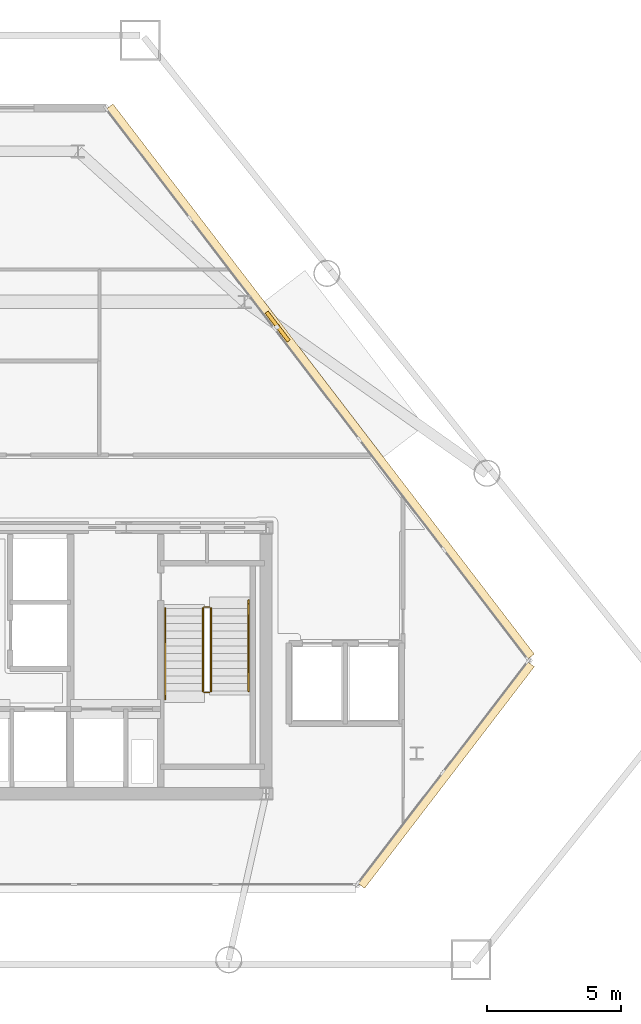
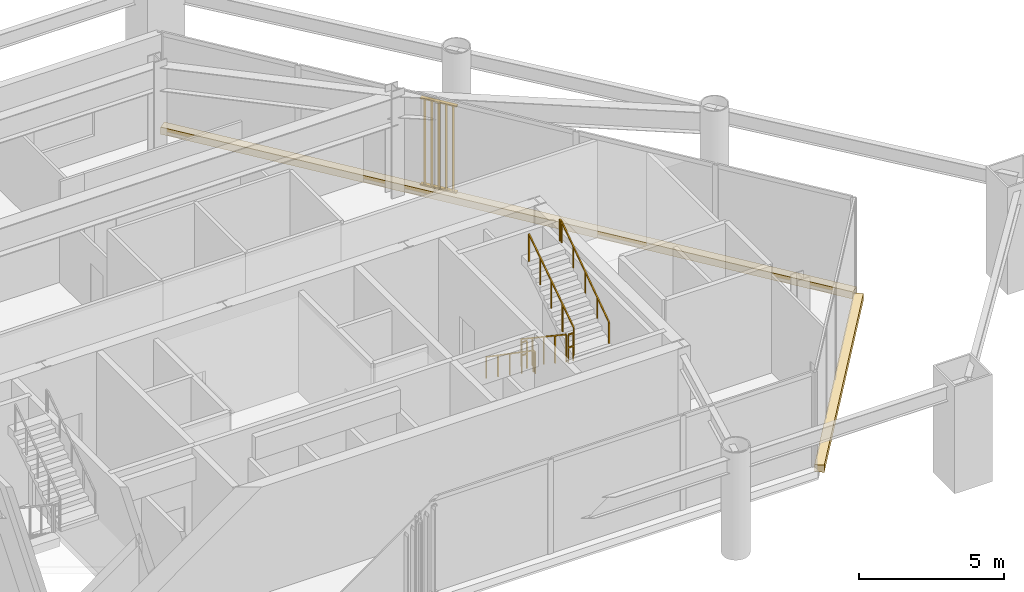
# One storey, part 11 of 11: 6 railings, 2 coverings, 1 shading device.
"""IFC4 building model written with IfcOpenShell, lengths in metres."""

import ifcopenshell
import ifcopenshell.guid

model = None  # the IFC model being written
_history = None  # IfcOwnerHistory: only IFC2X3 demands one
_inside = {}  # id of a spatial element -> (the spatial element, [elements in it])
_under = {}  # id of a project, library or spatial element -> (it, [spatial elements below it])
_declared = {}  # id of a project -> (the project, [libraries it declares])
_typed = {}  # id of a type object -> (the type object, [elements of that type])
_made_of = {}  # id of a material, layer set ... -> (it, [elements and type objects made of it])


def new_model(schema):
    """Start an empty IFC model of exactly this schema.

    Asked for "IFC4X3", IfcOpenShell would pick the latest addendum, in which some entities
    have other attributes; the version numbers below select the first issue.
    IFC2X3 requires an IfcOwnerHistory on every rooted entity: one is made here for all.
    """
    global model, _history
    if schema == "IFC4X3":
        model = ifcopenshell.file(schema_version=(4, 3, 0, 0))
    else:
        model = ifcopenshell.file(schema=schema)
    _inside.clear()
    _under.clear()
    _declared.clear()
    _typed.clear()
    _made_of.clear()
    _history = None
    if model.schema == "IFC2X3":
        org = make("IfcOrganization", Name="unknown")
        user = make(
            "IfcPersonAndOrganization",
            ThePerson=make("IfcPerson", FamilyName="unknown"),
            TheOrganization=org,
        )
        app = make(
            "IfcApplication",
            ApplicationDeveloper=org,
            Version="unknown",
            ApplicationFullName="unknown",
            ApplicationIdentifier="unknown",
        )
        _history = make(
            "IfcOwnerHistory",
            OwningUser=user,
            OwningApplication=app,
            ChangeAction="ADDED",
            CreationDate=0,
        )
    return model


def make(cls, **values):
    """One entity of the class cls with the attributes given. An attribute that is None is left unset."""
    return model.create_entity(
        cls, **{name: value for name, value in values.items() if value is not None}
    )


def rooted(cls, **values):
    """An entity with a GlobalId (a new one), such as an element, a storey or a relation."""
    return make(cls, GlobalId=ifcopenshell.guid.new(), OwnerHistory=_history, **values)


def si_unit(unit_type, name, prefix=None):
    """IfcSIUnit, for example si_unit("LENGTHUNIT", "METRE", prefix="MILLI")."""
    return make("IfcSIUnit", UnitType=unit_type, Prefix=prefix, Name=name)


def assignment(units):
    """IfcUnitAssignment: the units of a project."""
    return None if units is None else make("IfcUnitAssignment", Units=units)


def point(xyz):
    """IfcCartesianPoint."""
    return None if xyz is None else make("IfcCartesianPoint", Coordinates=xyz)


def direction(xyz):
    """IfcDirection."""
    return None if xyz is None else make("IfcDirection", DirectionRatios=xyz)


def frame(location, z_axis=None, x_axis=None):
    """IfcAxis2Placement3D, a coordinate frame: its origin and axes. An axis left out is left unset."""
    return make(
        "IfcAxis2Placement3D",
        Location=point(location),
        Axis=direction(z_axis),
        RefDirection=direction(x_axis),
    )


def frame_2d(location, x_axis=None):
    """IfcAxis2Placement2D, a coordinate frame in the plane: its origin and x axis."""
    return make(
        "IfcAxis2Placement2D", Location=point(location), RefDirection=direction(x_axis)
    )


def origin():
    """The frame at (0, 0, 0) with its axes left unset."""
    return frame((0.0, 0.0, 0.0))


def origin_2d():
    """The frame at (0, 0) in the plane with its x axis left unset."""
    return frame_2d((0.0, 0.0))


def place(relative_to, where):
    """IfcLocalPlacement: puts the frame where relative to a parent placement (None: the world)."""
    return make(
        "IfcLocalPlacement", PlacementRelTo=relative_to, RelativePlacement=where
    )


def context(
    kind, dimensions, precision=None, world=None, true_north=None, identifier=None
):
    """IfcGeometricRepresentationContext, for example the 3D "Model" context."""
    return make(
        "IfcGeometricRepresentationContext",
        ContextIdentifier=identifier,
        ContextType=kind,
        CoordinateSpaceDimension=dimensions,
        Precision=precision,
        WorldCoordinateSystem=world,
        TrueNorth=true_north,
    )


def subcontext(parent, identifier, kind, view, scale=None):
    """IfcGeometricRepresentationSubContext, for example "Body" below "Model"."""
    return make(
        "IfcGeometricRepresentationSubContext",
        ContextIdentifier=identifier,
        ContextType=kind,
        ParentContext=parent,
        TargetScale=scale,
        TargetView=view,
    )


def project(units=None, contexts=None):
    """IfcProject with its units and contexts."""
    return rooted(
        "IfcProject",
        Name="project",
        RepresentationContexts=contexts,
        UnitsInContext=assignment(units),
    )


def spatial(cls, under=None, at=None, **own):
    """A site, building, storey or space (cls), placed at a placement, below another one or the project."""
    s = rooted(cls, ObjectPlacement=at, **own)
    if under is not None:
        _under.setdefault(under.id(), (under, []))[1].append(s)
    return s


def profile(cls, at=None, kind="AREA", **sizes):
    """A parametric profile (cls). Its sizes go by their IFC names, for example OverallWidth=200.0."""
    return make(cls, ProfileType=kind, Position=at, **sizes)


def rectangle(**sizes):
    """IfcRectangleProfileDef."""
    return profile("IfcRectangleProfileDef", **sizes)


def extrude(swept, where, along, depth):
    """IfcExtrudedAreaSolid: the profile swept, set in the frame where, extruded along a direction by depth."""
    return make(
        "IfcExtrudedAreaSolid",
        SweptArea=swept,
        Position=where,
        ExtrudedDirection=direction(along),
        Depth=depth,
    )


def shape(context_of_items, identifier, shape_type, items):
    """IfcShapeRepresentation: the items that make up one representation, for example the "Body"."""
    return make(
        "IfcShapeRepresentation",
        ContextOfItems=context_of_items,
        RepresentationIdentifier=identifier,
        RepresentationType=shape_type,
        Items=items,
    )


def source(mapping_origin, context_of_items, identifier, shape_type, items):
    """IfcRepresentationMap: a shape defined once, which mapped items show again and again."""
    return make(
        "IfcRepresentationMap",
        MappingOrigin=mapping_origin,
        MappedRepresentation=shape(context_of_items, identifier, shape_type, items),
    )


def transform(
    local_origin,
    x_axis=None,
    y_axis=None,
    z_axis=None,
    scale=None,
    scale2=None,
    scale3=None,
    uniform=True,
):
    """IfcCartesianTransformationOperator3D, or its non-uniform kind. x_axis, y_axis, z_axis: its Axis1, 2, 3."""
    if uniform:
        return make(
            "IfcCartesianTransformationOperator3D",
            Axis1=direction(x_axis),
            Axis2=direction(y_axis),
            LocalOrigin=point(local_origin),
            Scale=scale,
            Axis3=direction(z_axis),
        )
    return make(
        "IfcCartesianTransformationOperator3DnonUniform",
        Axis1=direction(x_axis),
        Axis2=direction(y_axis),
        LocalOrigin=point(local_origin),
        Scale=scale,
        Axis3=direction(z_axis),
        Scale2=scale2,
        Scale3=scale3,
    )


def mapped(mapping_source, mapping_target):
    """IfcMappedItem: shows the shape of a source again, moved by a transform."""
    return make(
        "IfcMappedItem", MappingSource=mapping_source, MappingTarget=mapping_target
    )


def material(Name=None, Category=None):
    """IfcMaterial."""
    return make("IfcMaterial", Name=Name, Category=Category)


def layer(
    of_material, thickness, ventilated=None, Name=None, Category=None, Priority=None
):
    """IfcMaterialLayer: one layer of a wall or slab, of a material (None: an air gap)."""
    return make(
        "IfcMaterialLayer",
        Material=of_material,
        LayerThickness=thickness,
        IsVentilated=ventilated,
        Name=Name,
        Category=Category,
        Priority=Priority,
    )


def layer_set(layers, Name=None):
    """IfcMaterialLayerSet."""
    return make("IfcMaterialLayerSet", MaterialLayers=layers, LayerSetName=Name)


def made_of(thing, what):
    """Note that an element or type object is made of a material, layer set ...; save() writes the relation."""
    if what is not None:
        _made_of.setdefault(what.id(), (what, []))[1].append(thing)
    return thing


def type_object(cls, material=None, **own):
    """A type object (cls), such as IfcWallType, which elements share."""
    return made_of(rooted(cls, **own), material)


def type_shapes(of_type, sources):
    """Give a type object the sources (RepresentationMaps) that its elements show as mapped items."""
    of_type.RepresentationMaps = sources


def element(
    cls,
    number,
    at=None,
    inside=None,
    cuts=None,
    type_object=None,
    material=None,
    context=None,
    identifier="Body",
    shape_type=None,
    held_by="IfcProductDefinitionShape",
    body=None,
    shapes=None,
    **own,
):
    """One element of the class cls, such as IfcWall. Its Tag is "e" and its number.

    at: its placement. inside: the storey or other place that contains it. cuts: it is an
    opening in that element (IfcRelVoidsElement). A single representation is given by context,
    identifier, shape_type and body (its items); several are given by shapes. held_by: the class
    of the entity that holds the representations. save() writes the other relations.
    """
    e = rooted(cls, Tag="e%d" % number, ObjectPlacement=at, **own)
    if body is not None:
        shapes = [shape(context, identifier, shape_type, body)]
    if shapes is not None:
        e.Representation = make(held_by, Representations=shapes)
    if inside is not None:
        _inside.setdefault(inside.id(), (inside, []))[1].append(e)
    if cuts is not None:
        rooted(
            "IfcRelVoidsElement", RelatingBuildingElement=cuts, RelatedOpeningElement=e
        )
    if type_object is not None:
        _typed.setdefault(type_object.id(), (type_object, []))[1].append(e)
    return made_of(e, material)


def aggregate(whole, parts):
    """IfcRelAggregates: a whole, such as a stair, and the parts it consists of."""
    return rooted("IfcRelAggregates", RelatingObject=whole, RelatedObjects=parts)


def save(model, path):
    """Write the relations noted so far, then the file.

    IfcRelAggregates (storeys below a building ...), IfcRelContainedInSpatialStructure (elements
    in a storey), IfcRelDefinesByType, IfcRelAssociatesMaterial and IfcRelDeclares: one each for
    every whole, place, type object, material and project.
    """
    for whole, parts in _under.values():
        aggregate(whole, parts)
    for where, things in _inside.values():
        rooted(
            "IfcRelContainedInSpatialStructure",
            RelatedElements=things,
            RelatingStructure=where,
        )
    for kind, things in _typed.values():
        rooted("IfcRelDefinesByType", RelatedObjects=things, RelatingType=kind)
    for what, things in _made_of.values():
        rooted("IfcRelAssociatesMaterial", RelatedObjects=things, RelatingMaterial=what)
    for by, libraries in _declared.values():
        rooted("IfcRelDeclares", RelatingContext=by, RelatedDefinitions=libraries)
    model.write(path)


model = new_model("IFC4")

# Units and contexts
model_context = context("Model", 3, precision=1e-05, world=origin(), true_north=direction((0.0, 1.0)))
body_context = subcontext(model_context, "Body", "Model", "MODEL_VIEW")
ifc_project = project(units=[si_unit("LENGTHUNIT", "METRE"), si_unit("AREAUNIT", "SQUARE_METRE"), si_unit("VOLUMEUNIT", "CUBIC_METRE"), si_unit("PLANEANGLEUNIT", "RADIAN"), si_unit("MASSUNIT", "GRAM", prefix="KILO")], contexts=[model_context])

# Site, building, storey
site_placement = place(None, origin())
site = spatial("IfcSite", under=ifc_project, at=site_placement, CompositionType="ELEMENT")
building_placement = place(site_placement, origin())
building = spatial("IfcBuilding", under=site, at=building_placement, Name="Talgorran Terracotta Tower", CompositionType="ELEMENT")
storey_placement = place(building_placement, frame((0.0, 0.0, 5.39990234375)))
storey = spatial("IfcBuildingStorey", under=building, at=storey_placement, Name="L01", CompositionType="ELEMENT", Elevation=5.39990234375)

# Coverings
ifc_material_1 = material(Name="Kiln-Fired Terracotta Cladding", Category="masonry")
ifc_layer_1 = layer(ifc_material_1, 0.090087890625, Name="COV_PORTAL_TERRA")
ifc_layer_set_1 = layer_set([ifc_layer_1], Name="Kiln-Fired Terracotta Cladding")
covering_type = type_object("IfcCoveringType", Name="COV_PORTAL_TERRA", PredefinedType="CLADDING", material=ifc_layer_set_1)
covering_1_placement = place(storey_placement, frame((19.0859375, -13.39501953125, -0.0400390625), z_axis=(0.0, 0.0, 1.0), x_axis=(0.608068865901, 0.793884282702, 0.0)))
element("IfcCovering", 1, at=covering_1_placement, inside=storey, type_object=covering_type, Name="L01 Striped Postmodern Portal Cladding Band F2", PredefinedType="CLADDING", context=body_context, shape_type="SweptSolid", body=[
    extrude(rectangle(XDim=10.38525390625, YDim=0.340087890625, at=origin_2d()), origin(), (0.0, 0.0, 1.0), 0.300048828125),
])
covering_2_placement = place(storey_placement, frame((14.406005859375, 1.22509765625, -0.0400390625), z_axis=(0.0, 0.0, 1.0), x_axis=(-0.608068865901, 0.793884282702, 0.0)))
element("IfcCovering", 2, at=covering_2_placement, inside=storey, type_object=covering_type, Name="L01 Striped Postmodern Portal Cladding Band F3", PredefinedType="CLADDING", context=body_context, shape_type="SweptSolid", body=[
    extrude(rectangle(XDim=25.778076171875, YDim=0.340087890625, at=origin_2d()), origin(), (0.0, 0.0, 1.0), 0.300048828125),
])

# Railings
ifc_material_2 = material(Name="Steel S355 (300PLUS)", Category="steel")
railing_type_1 = type_object("IfcRailingType", Name="RL_HANDRAIL_920", PredefinedType="HANDRAIL", material=ifc_material_2)
railing_1_placement = place(storey_placement, frame((8.64990234375, -7.199951171875, 0.1875)))
element("IfcRailing", 3, at=railing_1_placement, inside=storey, type_object=railing_type_1, Name="L01 ST-02 stair handrail 1", PredefinedType="HANDRAIL", context=body_context, shape_type="SweptSolid", body=[
    extrude(rectangle(XDim=0.048095703125, YDim=0.048095703125, at=origin_2d()), frame((0.0, 0.0, 0.89599609375), z_axis=(0.0, -0.82301009837, 0.568026740551), x_axis=(1.0, 0.0, 0.0)), (0.0, 0.0, 1.0), 3.961181640625),
    extrude(rectangle(XDim=0.048095703125, YDim=0.048095703125, at=origin_2d()), frame((0.0, -3.260009765625, 3.14599609375), z_axis=(0.0, -1.0, 0.0), x_axis=(1.0, 0.0, 0.0)), (0.0, 0.0, 1.0), 0.1201171875),
    extrude(rectangle(XDim=0.0419921875, YDim=0.0419921875, at=origin_2d()), origin(), (0.0, 0.0, 1.0), 0.871826171875),
    extrude(rectangle(XDim=0.0419921875, YDim=0.0419921875, at=origin_2d()), frame((0.0, -0.81494140625, 0.5625)), (0.0, 0.0, 1.0), 0.871826171875),
    extrude(rectangle(XDim=0.0419921875, YDim=0.0419921875, at=origin_2d()), frame((0.0, -1.6298828125, 1.125)), (0.0, 0.0, 1.0), 0.871826171875),
    extrude(rectangle(XDim=0.0419921875, YDim=0.0419921875, at=origin_2d()), frame((0.0, -2.445068359375, 1.6875)), (0.0, 0.0, 1.0), 0.871826171875),
    extrude(rectangle(XDim=0.0419921875, YDim=0.0419921875, at=origin_2d()), frame((0.0, -3.260009765625, 2.25)), (0.0, 0.0, 1.0), 0.871826171875),
    extrude(rectangle(XDim=0.0419921875, YDim=0.0419921875, at=origin_2d()), frame((0.0, -3.380126953125, 2.25)), (0.0, 0.0, 1.0), 0.871826171875),
])
railing_2_placement = place(storey_placement, frame((11.75, -10.280029296875, 2.4375)))
element("IfcRailing", 4, at=railing_2_placement, inside=storey, type_object=railing_type_1, Name="L01 ST-02 stair handrail 2", PredefinedType="HANDRAIL", context=body_context, shape_type="SweptSolid", body=[
    extrude(rectangle(XDim=0.048095703125, YDim=0.048095703125, at=origin_2d()), frame((0.0, 0.0, 0.89599609375), z_axis=(0.0, 0.82301009837, 0.568026740551), x_axis=(-1.0, 0.0, 0.0)), (0.0, 0.0, 1.0), 3.961181640625),
    extrude(rectangle(XDim=0.048095703125, YDim=0.048095703125, at=origin_2d()), frame((0.0, 3.260009765625, 3.14599609375), z_axis=(0.0, 1.0, 0.0), x_axis=(-1.0, 0.0, 0.0)), (0.0, 0.0, 1.0), 0.1201171875),
    extrude(rectangle(XDim=0.0419921875, YDim=0.0419921875, at=origin_2d()), origin(), (0.0, 0.0, 1.0), 0.871826171875),
    extrude(rectangle(XDim=0.0419921875, YDim=0.0419921875, at=origin_2d()), frame((0.0, 0.81494140625, 0.5625)), (0.0, 0.0, 1.0), 0.871826171875),
    extrude(rectangle(XDim=0.0419921875, YDim=0.0419921875, at=origin_2d()), frame((0.0, 1.6298828125, 1.125)), (0.0, 0.0, 1.0), 0.871826171875),
    extrude(rectangle(XDim=0.0419921875, YDim=0.0419921875, at=origin_2d()), frame((0.0, 2.445068359375, 1.6875)), (0.0, 0.0, 1.0), 0.871826171875),
    extrude(rectangle(XDim=0.0419921875, YDim=0.0419921875, at=origin_2d()), frame((0.0, 3.260009765625, 2.25)), (0.0, 0.0, 1.0), 0.871826171875),
    extrude(rectangle(XDim=0.0419921875, YDim=0.0419921875, at=origin_2d()), frame((0.0, 3.380126953125, 2.25)), (0.0, 0.0, 1.0), 0.871826171875),
])
railing_type_2 = type_object("IfcRailingType", Name="RL_STAIR_GUARD", PredefinedType="GUARDRAIL", material=ifc_material_2)
railing_3_placement = place(storey_placement, frame((10.050048828125, -7.199951171875, 0.1875)))
element("IfcRailing", 5, at=railing_3_placement, inside=storey, type_object=railing_type_2, Name="L01 ST-02 stair guard 1", PredefinedType="GUARDRAIL", context=body_context, shape_type="SweptSolid", body=[
    extrude(rectangle(XDim=0.048095703125, YDim=0.048095703125, at=origin_2d()), frame((0.0, 0.0, 1.15576171875), z_axis=(0.0, -0.830913701846, 0.55640131208), x_axis=(1.0, 0.0, 0.0)), (0.0, 0.0, 1.0), 3.706787109375),
    extrude(rectangle(XDim=0.0419921875, YDim=0.0419921875, at=origin_2d()), origin(), (0.0, 0.0, 1.0), 1.1318359375),
    extrude(rectangle(XDim=0.0419921875, YDim=0.0419921875, at=origin_2d()), frame((0.0, -0.77001953125, 0.515625)), (0.0, 0.0, 1.0), 1.1318359375),
    extrude(rectangle(XDim=0.0419921875, YDim=0.0419921875, at=origin_2d()), frame((0.0, -1.5400390625, 1.03125)), (0.0, 0.0, 1.0), 1.1318359375),
    extrude(rectangle(XDim=0.0419921875, YDim=0.0419921875, at=origin_2d()), frame((0.0, -2.31005859375, 1.546875)), (0.0, 0.0, 1.0), 1.1318359375),
    extrude(rectangle(XDim=0.0419921875, YDim=0.0419921875, at=origin_2d()), frame((0.0, -3.080078125, 2.0625)), (0.0, 0.0, 1.0), 1.1318359375),
])
railing_4_placement = place(storey_placement, frame((10.10009765625, -10.330078125, 2.25)))
element("IfcRailing", 6, at=railing_4_placement, inside=storey, type_object=railing_type_2, Name="L01 ST-02 stair guard 2", PredefinedType="GUARDRAIL", context=body_context, shape_type="SweptSolid", body=[
    extrude(rectangle(XDim=0.048095703125, YDim=0.048095703125, at=origin_2d()), frame((0.0, 0.0, 1.15576171875), z_axis=(1.0, 0.0, 0.0), x_axis=(0.0, 1.0, 0.0)), (0.0, 0.0, 1.0), 0.199951171875),
    extrude(rectangle(XDim=0.048095703125, YDim=0.048095703125, at=origin_2d()), frame((0.0, 0.0, 0.613525390625), z_axis=(1.0, 0.0, 0.0), x_axis=(0.0, 1.0, 0.0)), (0.0, 0.0, 1.0), 0.199951171875),
    extrude(rectangle(XDim=0.0419921875, YDim=0.0419921875, at=origin_2d()), origin(), (0.0, 0.0, 1.0), 1.1318359375),
    extrude(rectangle(XDim=0.0419921875, YDim=0.0419921875, at=origin_2d()), frame((0.199951171875, 0.0, 0.0)), (0.0, 0.0, 1.0), 1.1318359375),
])
railing_5_placement = place(storey_placement, frame((10.35009765625, -10.280029296875, 2.4375)))
element("IfcRailing", 7, at=railing_5_placement, inside=storey, type_object=railing_type_2, Name="L01 ST-02 stair guard 3", PredefinedType="GUARDRAIL", context=body_context, shape_type="SweptSolid", body=[
    extrude(rectangle(XDim=0.048095703125, YDim=0.048095703125, at=origin_2d()), frame((0.0, 0.0, 1.15576171875), z_axis=(0.0, 0.830913701846, 0.55640131208), x_axis=(-1.0, 0.0, 0.0)), (0.0, 0.0, 1.0), 3.706787109375),
    extrude(rectangle(XDim=0.0419921875, YDim=0.0419921875, at=origin_2d()), origin(), (0.0, 0.0, 1.0), 1.1318359375),
    extrude(rectangle(XDim=0.0419921875, YDim=0.0419921875, at=origin_2d()), frame((0.0, 0.77001953125, 0.515625)), (0.0, 0.0, 1.0), 1.1318359375),
    extrude(rectangle(XDim=0.0419921875, YDim=0.0419921875, at=origin_2d()), frame((0.0, 1.5400390625, 1.03125)), (0.0, 0.0, 1.0), 1.1318359375),
    extrude(rectangle(XDim=0.0419921875, YDim=0.0419921875, at=origin_2d()), frame((0.0, 2.31005859375, 1.546875)), (0.0, 0.0, 1.0), 1.1318359375),
    extrude(rectangle(XDim=0.0419921875, YDim=0.0419921875, at=origin_2d()), frame((0.0, 3.080078125, 2.0625)), (0.0, 0.0, 1.0), 1.1318359375),
])
railing_6_placement = place(storey_placement, frame((10.10009765625, -7.14990234375, 0.0)))
element("IfcRailing", 8, at=railing_6_placement, inside=storey, type_object=railing_type_2, Name="L01 ST-02 stair guard 4", PredefinedType="GUARDRAIL", context=body_context, shape_type="SweptSolid", body=[
    extrude(rectangle(XDim=0.048095703125, YDim=0.048095703125, at=origin_2d()), frame((0.0, 0.0, 1.15576171875), z_axis=(1.0, 0.0, 0.0), x_axis=(0.0, 1.0, 0.0)), (0.0, 0.0, 1.0), 0.199951171875),
    extrude(rectangle(XDim=0.048095703125, YDim=0.048095703125, at=origin_2d()), frame((0.0, 0.0, 0.613525390625), z_axis=(1.0, 0.0, 0.0), x_axis=(0.0, 1.0, 0.0)), (0.0, 0.0, 1.0), 0.199951171875),
    extrude(rectangle(XDim=0.0419921875, YDim=0.0419921875, at=origin_2d()), origin(), (0.0, 0.0, 1.0), 1.1318359375),
    extrude(rectangle(XDim=0.0419921875, YDim=0.0419921875, at=origin_2d()), frame((0.199951171875, 0.0, 0.0)), (0.0, 0.0, 1.0), 1.1318359375),
])

# Shading device
ifc_material_3 = material(Name="Kiln-Fired Terracotta", Category="masonry")
ifc_layer_2 = layer(ifc_material_3, 0.139892578125, Name="SHD_BAGUETTE_TERRA")
ifc_layer_set_2 = layer_set([ifc_layer_2], Name="Kiln-Fired Terracotta")
shading_device_type = type_object("IfcShadingDeviceType", Name="SHD_BAGUETTE_TERRA", PredefinedType="JALOUSIE", material=ifc_layer_set_2)
shared_shape = source(origin(), body_context, "Body", "SweptSolid", [
    extrude(rectangle(XDim=1.35009765625, YDim=0.139892578125, at=origin_2d()), origin(), (0.0, 0.0, 1.0), 0.054931640625),
    extrude(rectangle(XDim=1.35009765625, YDim=0.139892578125, at=origin_2d()), frame((0.0, 0.0, 3.614990234375)), (0.0, 0.0, 1.0), 0.054931640625),
    extrude(rectangle(XDim=0.074951171875, YDim=0.139892578125, at=origin_2d()), frame((-0.53515625, 0.0, 0.054931640625), z_axis=(0.0, 0.0, 1.0), x_axis=(0.866025403784, 0.5, 0.0)), (0.0, 0.0, 1.0), 3.56005859375),
    extrude(rectangle(XDim=0.074951171875, YDim=0.139892578125, at=origin_2d()), frame((-0.267578125, 0.0, 0.054931640625), z_axis=(0.0, 0.0, 1.0), x_axis=(0.866025403784, 0.5, 0.0)), (0.0, 0.0, 1.0), 3.56005859375),
    extrude(rectangle(XDim=0.074951171875, YDim=0.139892578125, at=origin_2d()), frame((0.0, 0.0, 0.054931640625), z_axis=(0.0, 0.0, 1.0), x_axis=(0.866025403784, 0.5, 0.0)), (0.0, 0.0, 1.0), 3.56005859375),
    extrude(rectangle(XDim=0.074951171875, YDim=0.139892578125, at=origin_2d()), frame((0.267578125, 0.0, 0.054931640625), z_axis=(0.0, 0.0, 1.0), x_axis=(0.866025403784, 0.5, 0.0)), (0.0, 0.0, 1.0), 3.56005859375),
    extrude(rectangle(XDim=0.074951171875, YDim=0.139892578125, at=origin_2d()), frame((0.53515625, 0.0, 0.054931640625), z_axis=(0.0, 0.0, 1.0), x_axis=(0.866025403784, 0.5, 0.0)), (0.0, 0.0, 1.0), 3.56005859375),
])
type_shapes(shading_device_type, [shared_shape])
shading_device_placement = place(storey_placement, frame((12.8310546875, 3.281005859375, 0.35009765625), z_axis=(0.0, 0.0, 1.0), x_axis=(-0.608068865901, 0.793884282702, 0.0)))
element("IfcShadingDevice", 9, at=shading_device_placement, inside=storey, type_object=shading_device_type, Name="BAG-L01-F3", PredefinedType="JALOUSIE", context=body_context, shape_type="MappedRepresentation", body=[
    mapped(shared_shape, transform((0.0, 0.0, 0.0), scale=1.0)),
])

save(model, "model.ifc")
